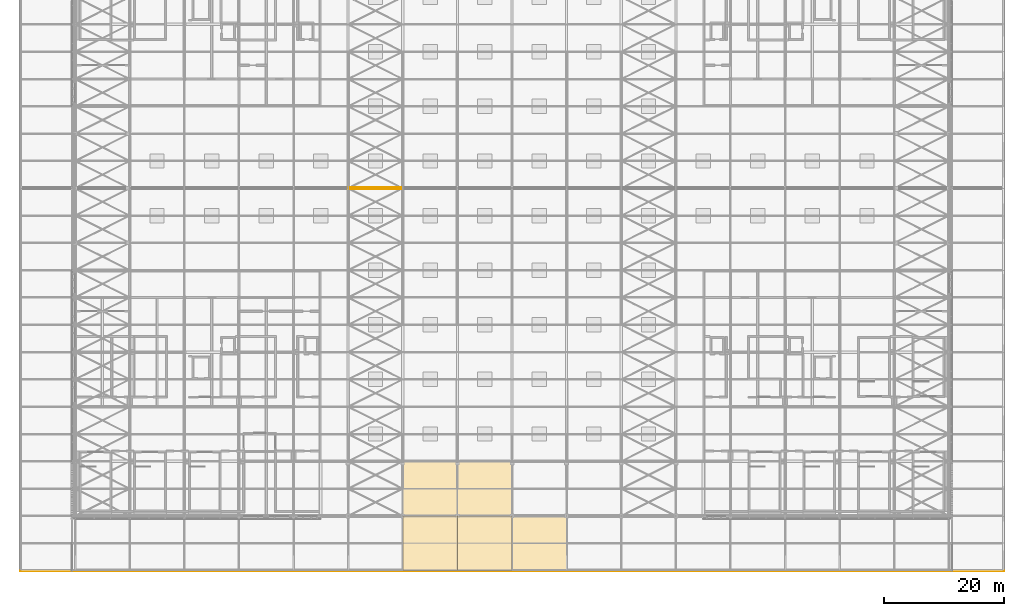
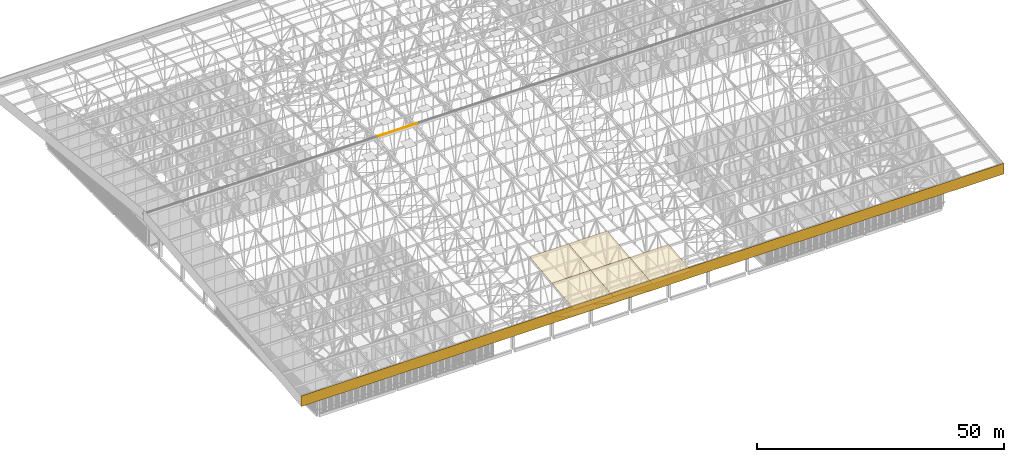
# One storey, part 465 of 500: 10 coverings.
"""IFC4 building model written with IfcOpenShell, lengths in metres."""

from ifc_helpers import new_model, si_unit, direction, frame, origin, origin_2d, place, context, subcontext, project, spatial, polyline, rectangle, outline, extrude, material, layer, layer_set, type_object, element, save


model = new_model("IFC4")

# Units and contexts
model_context = context("Model", 3, precision=1e-05, world=origin(), true_north=direction((0.0, 1.0)))
body_context = subcontext(model_context, "Body", "Model", "MODEL_VIEW")
ifc_project = project(units=[si_unit("LENGTHUNIT", "METRE"), si_unit("AREAUNIT", "SQUARE_METRE"), si_unit("VOLUMEUNIT", "CUBIC_METRE"), si_unit("PLANEANGLEUNIT", "RADIAN"), si_unit("MASSUNIT", "GRAM", prefix="KILO")], contexts=[model_context])

# Site, building, storey
site_placement = place(None, origin())
site = spatial("IfcSite", under=ifc_project, at=site_placement, CompositionType="ELEMENT")
building_placement = place(site_placement, origin())
building = spatial("IfcBuilding", under=site, at=building_placement, Name="Shirokan Park Arena", CompositionType="ELEMENT")
storey_placement = place(building_placement, frame((0.0, 0.0, 29.1201171875)))
storey = spatial("IfcBuildingStorey", under=building, at=storey_placement, Name="L06", CompositionType="ELEMENT", Elevation=29.1201171875)

# Coverings
ifc_material_1 = material(Name="Zinc standing seam sheet")
ifc_layer_1 = layer(ifc_material_1, 0.06005859375)
ifc_layer_set_1 = layer_set([ifc_layer_1], Name="Zinc standing seam sheet 60 mm")
covering_type_1 = type_object("IfcCoveringType", Name="Ridge cap 150x60", PredefinedType="CLADDING", material=ifc_layer_set_1)
covering_1_placement = place(storey_placement, frame((45.5, 54.449951171875, 19.213623046875), z_axis=(0.0, -0.113090934841, 0.993584641818), x_axis=(1.0, 0.0, 0.0)))
element("IfcCovering", 1, at=covering_1_placement, inside=storey, type_object=covering_type_1, Name="Ridge cap", PredefinedType="CLADDING", context=body_context, shape_type="SweptSolid", body=[
    extrude(outline(polyline([(0.0, 0.0), (9.10009765625, 0.0), (9.10009765625, 0.15111594730395445), (0.0, 0.15111594730395445), (0.0, 0.0)])), origin(), (0.0, 0.0, -1.0), 0.06005859375),
])
covering_2_placement = place(storey_placement, frame((45.5, 54.60009765625, 19.230712890625), z_axis=(0.0, 0.113272760674, 0.993563929342), x_axis=(1.0, 0.0, 0.0)))
element("IfcCovering", 2, at=covering_2_placement, inside=storey, type_object=covering_type_1, Name="Ridge cap", PredefinedType="CLADDING", context=body_context, shape_type="SweptSolid", body=[
    extrude(outline(polyline([(0.0, 0.0), (9.10009765625, 0.0), (9.10009765625, 0.1508733754548581), (0.0, 0.1508733754548581), (0.0, 0.0)])), origin(), (0.0, 0.0, -1.0), 0.06005859375),
])
ifc_material_2 = material(Name="Bituminous roofing membrane")
ifc_layer_2 = layer(ifc_material_2, 0.010009765625, Name="Bituminous roofing membrane")
ifc_material_3 = material(Name="Mineral wool insulation")
ifc_layer_3 = layer(ifc_material_3, 0.050048828125, Name="Mineral wool insulation")
ifc_layer_set_2 = layer_set([ifc_layer_2, ifc_layer_3], Name="Bituminous roofing membrane + Mineral wool insulation")
covering_type_2 = type_object("IfcCoveringType", Name="Roofing membrane 60", PredefinedType="ROOFING", material=ifc_layer_set_2)
for number, where, z_axis, x_axis, name in (
    (3, (54.60009765625, -9.10009765625, 11.890625), (0.0, -0.113549598152, 0.993532328996), (1.0, 0.0, 0.0), "Roofing"),
    (4, (54.60009765625, 0.0, 12.9306640625), (0.0, -0.113549598152, 0.993532328996), (1.0, 0.0, 0.0), "Roofing"),
):
    element("IfcCovering", number, at=place(storey_placement, frame(where, z_axis=z_axis, x_axis=x_axis)), inside=storey, type_object=covering_type_2, Name=name, PredefinedType="ROOFING", context=body_context, shape_type="SweptSolid", body=[
        extrude(outline(polyline([(0.0, 0.0), (9.099853515625, 0.0), (9.099853515625, 9.15933723611117), (0.0, 9.15933723611117), (0.0, 0.0)])), origin(), (0.0, 0.0, -1.0), 0.06005859375),
    ])
for number, where, z_axis, x_axis, name in (
    (5, (63.699951171875, -9.10009765625, 11.890625), (0.0, -0.113549598152, 0.993532328996), (1.0, 0.0, 0.0), "Roofing"),
    (6, (63.699951171875, 0.0, 12.9306640625), (0.0, -0.113549598152, 0.993532328996), (1.0, 0.0, 0.0), "Roofing"),
):
    element("IfcCovering", number, at=place(storey_placement, frame(where, z_axis=z_axis, x_axis=x_axis)), inside=storey, type_object=covering_type_2, Name=name, PredefinedType="ROOFING", context=body_context, shape_type="SweptSolid", body=[
        extrude(outline(polyline([(0.0, 0.0), (9.10009765625, 0.0), (9.10009765625, 9.15933723611117), (0.0, 9.15933723611117), (0.0, 0.0)])), origin(), (0.0, 0.0, -1.0), 0.06005859375),
    ])
covering_3_placement = place(storey_placement, frame((72.800048828125, -9.10009765625, 11.890625), z_axis=(0.0, -0.113549598152, 0.993532328996), x_axis=(1.0, 0.0, 0.0)))
element("IfcCovering", 7, at=covering_3_placement, inside=storey, type_object=covering_type_2, Name="Roofing", PredefinedType="ROOFING", context=body_context, shape_type="SweptSolid", body=[
    extrude(outline(polyline([(0.0, 0.0), (9.099853515625, 0.0), (9.099853515625, 9.15933723611117), (0.0, 9.15933723611117), (0.0, 0.0)])), origin(), (0.0, 0.0, -1.0), 0.06005859375),
])
ifc_material_4 = material(Name="Timber soffit boards (cedar)", Category="wood")
ifc_layer_4 = layer(ifc_material_4, 0.030029296875)
ifc_layer_set_3 = layer_set([ifc_layer_4], Name="Timber soffit boards (cedar) 30 mm")
covering_type_3 = type_object("IfcCoveringType", Name="Timber boarded soffit panel", PredefinedType="CLADDING", material=ifc_layer_set_3)
covering_4_placement = place(storey_placement, origin())
element("IfcCovering", 8, at=covering_4_placement, inside=storey, type_object=covering_type_3, Name="Eave soffit south bay 7", PredefinedType="CLADDING", context=body_context, shape_type="SweptSolid", body=[
    extrude(outline(polyline([(0.0, 0.0), (0.14269332184794056, 0.0), (0.14269332184794056, -9.100000000000003), (0.0, -9.100000000000003), (0.0, 0.0)])), frame((63.699951171875, -8.97998046875, 10.3037109375), z_axis=(0.0, 0.541090493936, 0.840964373427), x_axis=(0.0, -0.840964373427, 0.541090493936)), (0.0, 0.0, -1.0), 0.030029296875),
    extrude(outline(polyline([(0.0, 0.0), (0.1426933218479412, 0.0), (0.1426933218479412, -9.100000000000001), (0.0, -9.100000000000001), (0.0, 0.0)])), frame((54.60009765625, -0.1201171875, 4.60302734375), z_axis=(0.0, 0.541090493936, 0.840964373427), x_axis=(0.0, 0.840964373427, -0.541090493936)), (0.0, 0.0, -1.0), 0.030029296875),
    extrude(outline(polyline([(0.0, 0.0), (0.12000000000000455, 0.0), (0.12000000000000455, -10.535473996759707), (0.0, -10.535473996759707), (0.0, 0.0)])), frame((63.699951171875, -8.97998046875, 10.3037109375), z_axis=(0.0, 0.541084340558, 0.84096833258), x_axis=(-1.0, 0.0, 0.0)), (0.0, 0.0, -1.0), 0.030029296875),
    extrude(outline(polyline([(0.0, 0.0), (0.11999999999999744, 0.0), (0.11999999999999744, -10.535473996759707), (0.0, -10.535473996759707), (0.0, 0.0)])), frame((54.60009765625, -0.1201171875, 4.60302734375), z_axis=(0.0, 0.541084340558, 0.84096833258), x_axis=(1.0, 0.0, 0.0)), (0.0, 0.0, -1.0), 0.030029296875),
    extrude(outline(polyline([(0.0, 0.0), (10.535473996759707, 0.0), (10.535473996759707, -0.183329999999998), (0.0, -0.183329999999998), (0.0, 0.0)])), frame((54.719970703125, -8.97998046875, 10.3037109375), z_axis=(0.0, 0.541084340558, 0.84096833258), x_axis=(0.0, 0.84096833258, -0.541084340558)), (0.0, 0.0, -1.0), 0.030029296875),
    extrude(outline(polyline([(0.0, 0.0), (10.535473996759707, 0.0), (10.535473996759707, -0.3033400000000057), (0.0, -0.3033400000000057), (0.0, 0.0)])), frame((54.9033203125, -8.97998046875, 10.3037109375), z_axis=(0.0, 0.541084340558, 0.84096833258), x_axis=(0.0, 0.84096833258, -0.541084340558)), (0.0, 0.0, -1.0), 0.030029296875),
    extrude(outline(polyline([(0.0, 0.0), (10.535473996759707, 0.0), (10.535473996759707, -0.30332999999999544), (0.0, -0.30332999999999544), (0.0, 0.0)])), frame((55.206787109375, -8.97998046875, 10.3037109375), z_axis=(0.0, 0.541084340558, 0.84096833258), x_axis=(0.0, 0.84096833258, -0.541084340558)), (0.0, 0.0, -1.0), 0.030029296875),
    extrude(outline(polyline([(0.0, 0.0), (10.535473996759707, 0.0), (10.535473996759707, -0.30333000000000254), (0.0, -0.30333000000000254), (0.0, 0.0)])), frame((55.510009765625, -8.97998046875, 10.3037109375), z_axis=(0.0, 0.541084340558, 0.84096833258), x_axis=(0.0, 0.84096833258, -0.541084340558)), (0.0, 0.0, -1.0), 0.030029296875),
    extrude(outline(polyline([(0.0, 0.0), (10.535473996759707, 0.0), (10.535473996759707, -0.3033399999999986), (0.0, -0.3033399999999986), (0.0, 0.0)])), frame((55.813232421875, -8.97998046875, 10.3037109375), z_axis=(0.0, 0.541084340558, 0.84096833258), x_axis=(0.0, 0.84096833258, -0.541084340558)), (0.0, 0.0, -1.0), 0.030029296875),
    extrude(outline(polyline([(0.0, 0.0), (10.535473996759709, 0.0), (10.535473996759709, -0.30333000000000254), (0.0, -0.30333000000000254), (0.0, 0.0)])), frame((56.11669921875, -8.97998046875, 10.3037109375), z_axis=(0.0, 0.541084340558, 0.84096833258), x_axis=(0.0, 0.84096833258, -0.541084340558)), (0.0, 0.0, -1.0), 0.030029296875),
    extrude(outline(polyline([(0.0, 0.0), (10.535473996759707, 0.0), (10.535473996759707, -0.30332999999999544), (0.0, -0.30332999999999544), (0.0, 0.0)])), frame((56.419921875, -8.97998046875, 10.3037109375), z_axis=(0.0, 0.541084340558, 0.84096833258), x_axis=(0.0, 0.84096833258, -0.541084340558)), (0.0, 0.0, -1.0), 0.030029296875),
    extrude(outline(polyline([(0.0, 0.0), (10.535473996759707, 0.0), (10.535473996759707, -0.3033400000000057), (0.0, -0.3033400000000057), (0.0, 0.0)])), frame((56.723388671875, -8.97998046875, 10.3037109375), z_axis=(0.0, 0.541084340558, 0.84096833258), x_axis=(0.0, 0.84096833258, -0.541084340558)), (0.0, 0.0, -1.0), 0.030029296875),
    extrude(outline(polyline([(0.0, 0.0), (10.535473996759707, 0.0), (10.535473996759707, -0.30332999999999544), (0.0, -0.30332999999999544), (0.0, 0.0)])), frame((57.026611328125, -8.97998046875, 10.3037109375), z_axis=(0.0, 0.541084340558, 0.84096833258), x_axis=(0.0, 0.84096833258, -0.541084340558)), (0.0, 0.0, -1.0), 0.030029296875),
    extrude(outline(polyline([(0.0, 0.0), (10.535473996759707, 0.0), (10.535473996759707, -0.30333000000000254), (0.0, -0.30333000000000254), (0.0, 0.0)])), frame((57.330078125, -8.97998046875, 10.3037109375), z_axis=(0.0, 0.541084340558, 0.84096833258), x_axis=(0.0, 0.84096833258, -0.541084340558)), (0.0, 0.0, -1.0), 0.030029296875),
    extrude(outline(polyline([(0.0, 0.0), (10.535473996759707, 0.0), (10.535473996759707, -0.3033399999999986), (0.0, -0.3033399999999986), (0.0, 0.0)])), frame((57.63330078125, -8.97998046875, 10.3037109375), z_axis=(0.0, 0.541084340558, 0.84096833258), x_axis=(0.0, 0.84096833258, -0.541084340558)), (0.0, 0.0, -1.0), 0.030029296875),
    extrude(outline(polyline([(0.0, 0.0), (10.535473996759709, 0.0), (10.535473996759709, -0.30333000000000254), (0.0, -0.30333000000000254), (0.0, 0.0)])), frame((57.936767578125, -8.97998046875, 10.3037109375), z_axis=(0.0, 0.541084340558, 0.84096833258), x_axis=(0.0, 0.84096833258, -0.541084340558)), (0.0, 0.0, -1.0), 0.030029296875),
    extrude(outline(polyline([(0.0, 0.0), (10.535473996759707, 0.0), (10.535473996759707, -0.30332999999999544), (0.0, -0.30332999999999544), (0.0, 0.0)])), frame((58.239990234375, -8.97998046875, 10.3037109375), z_axis=(0.0, 0.541084340558, 0.84096833258), x_axis=(0.0, 0.84096833258, -0.541084340558)), (0.0, 0.0, -1.0), 0.030029296875),
    extrude(outline(polyline([(0.0, 0.0), (10.535473996759707, 0.0), (10.535473996759707, -0.3033400000000057), (0.0, -0.3033400000000057), (0.0, 0.0)])), frame((58.543212890625, -8.97998046875, 10.3037109375), z_axis=(0.0, 0.541084340558, 0.84096833258), x_axis=(0.0, 0.84096833258, -0.541084340558)), (0.0, 0.0, -1.0), 0.030029296875),
    extrude(outline(polyline([(0.0, 0.0), (10.535473996759707, 0.0), (10.535473996759707, -0.30332999999999544), (0.0, -0.30332999999999544), (0.0, 0.0)])), frame((58.8466796875, -8.97998046875, 10.3037109375), z_axis=(0.0, 0.541084340558, 0.84096833258), x_axis=(0.0, 0.84096833258, -0.541084340558)), (0.0, 0.0, -1.0), 0.030029296875),
    extrude(outline(polyline([(0.0, 0.0), (10.535473996759707, 0.0), (10.535473996759707, -0.30333000000000254), (0.0, -0.30333000000000254), (0.0, 0.0)])), frame((59.14990234375, -8.97998046875, 10.3037109375), z_axis=(0.0, 0.541084340558, 0.84096833258), x_axis=(0.0, 0.84096833258, -0.541084340558)), (0.0, 0.0, -1.0), 0.030029296875),
    extrude(outline(polyline([(0.0, 0.0), (10.535473996759707, 0.0), (10.535473996759707, -0.3033399999999986), (0.0, -0.3033399999999986), (0.0, 0.0)])), frame((59.453369140625, -8.97998046875, 10.3037109375), z_axis=(0.0, 0.541084340558, 0.84096833258), x_axis=(0.0, 0.84096833258, -0.541084340558)), (0.0, 0.0, -1.0), 0.030029296875),
    extrude(outline(polyline([(0.0, 0.0), (10.535473996759709, 0.0), (10.535473996759709, -0.30333000000000254), (0.0, -0.30333000000000254), (0.0, 0.0)])), frame((59.756591796875, -8.97998046875, 10.3037109375), z_axis=(0.0, 0.541084340558, 0.84096833258), x_axis=(0.0, 0.84096833258, -0.541084340558)), (0.0, 0.0, -1.0), 0.030029296875),
    extrude(outline(polyline([(0.0, 0.0), (10.535473996759707, 0.0), (10.535473996759707, -0.30332999999999544), (0.0, -0.30332999999999544), (0.0, 0.0)])), frame((60.06005859375, -8.97998046875, 10.3037109375), z_axis=(0.0, 0.541084340558, 0.84096833258), x_axis=(0.0, 0.84096833258, -0.541084340558)), (0.0, 0.0, -1.0), 0.030029296875),
    extrude(outline(polyline([(0.0, 0.0), (10.535473996759707, 0.0), (10.535473996759707, -0.3033400000000057), (0.0, -0.3033400000000057), (0.0, 0.0)])), frame((60.36328125, -8.97998046875, 10.3037109375), z_axis=(0.0, 0.541084340558, 0.84096833258), x_axis=(0.0, 0.84096833258, -0.541084340558)), (0.0, 0.0, -1.0), 0.030029296875),
    extrude(outline(polyline([(0.0, 0.0), (10.535473996759707, 0.0), (10.535473996759707, -0.30332999999999544), (0.0, -0.30332999999999544), (0.0, 0.0)])), frame((60.666748046875, -8.97998046875, 10.3037109375), z_axis=(0.0, 0.541084340558, 0.84096833258), x_axis=(0.0, 0.84096833258, -0.541084340558)), (0.0, 0.0, -1.0), 0.030029296875),
    extrude(outline(polyline([(0.0, 0.0), (10.535473996759709, 0.0), (10.535473996759709, -0.30333000000000254), (0.0, -0.30333000000000254), (0.0, 0.0)])), frame((60.969970703125, -8.97998046875, 10.3037109375), z_axis=(0.0, 0.541084340558, 0.84096833258), x_axis=(0.0, 0.84096833258, -0.541084340558)), (0.0, 0.0, -1.0), 0.030029296875),
    extrude(outline(polyline([(0.0, 0.0), (10.535473996759707, 0.0), (10.535473996759707, -0.3033399999999986), (0.0, -0.3033399999999986), (0.0, 0.0)])), frame((61.2734375, -8.97998046875, 10.3037109375), z_axis=(0.0, 0.541084340558, 0.84096833258), x_axis=(0.0, 0.84096833258, -0.541084340558)), (0.0, 0.0, -1.0), 0.030029296875),
    extrude(outline(polyline([(0.0, 0.0), (10.535473996759709, 0.0), (10.535473996759709, -0.30333000000000254), (0.0, -0.30333000000000254), (0.0, 0.0)])), frame((61.57666015625, -8.97998046875, 10.3037109375), z_axis=(0.0, 0.541084340558, 0.84096833258), x_axis=(0.0, 0.84096833258, -0.541084340558)), (0.0, 0.0, -1.0), 0.030029296875),
    extrude(outline(polyline([(0.0, 0.0), (10.535473996759707, 0.0), (10.535473996759707, -0.30332999999999544), (0.0, -0.30332999999999544), (0.0, 0.0)])), frame((61.8798828125, -8.97998046875, 10.3037109375), z_axis=(0.0, 0.541084340558, 0.84096833258), x_axis=(0.0, 0.84096833258, -0.541084340558)), (0.0, 0.0, -1.0), 0.030029296875),
    extrude(outline(polyline([(0.0, 0.0), (10.535473996759707, 0.0), (10.535473996759707, -0.3033399999999986), (0.0, -0.3033399999999986), (0.0, 0.0)])), frame((62.183349609375, -8.97998046875, 10.3037109375), z_axis=(0.0, 0.541084340558, 0.84096833258), x_axis=(0.0, 0.84096833258, -0.541084340558)), (0.0, 0.0, -1.0), 0.030029296875),
    extrude(outline(polyline([(0.0, 0.0), (10.535473996759707, 0.0), (10.535473996759707, -0.30333000000000254), (0.0, -0.30333000000000254), (0.0, 0.0)])), frame((62.486572265625, -8.97998046875, 10.3037109375), z_axis=(0.0, 0.541084340558, 0.84096833258), x_axis=(0.0, 0.84096833258, -0.541084340558)), (0.0, 0.0, -1.0), 0.030029296875),
    extrude(outline(polyline([(0.0, 0.0), (10.535473996759709, 0.0), (10.535473996759709, -0.30333000000000254), (0.0, -0.30333000000000254), (0.0, 0.0)])), frame((62.7900390625, -8.97998046875, 10.3037109375), z_axis=(0.0, 0.541084340558, 0.84096833258), x_axis=(0.0, 0.84096833258, -0.541084340558)), (0.0, 0.0, -1.0), 0.030029296875),
    extrude(outline(polyline([(0.0, 0.0), (10.535473996759707, 0.0), (10.535473996759707, -0.3033399999999986), (0.0, -0.3033399999999986), (0.0, 0.0)])), frame((63.09326171875, -8.97998046875, 10.3037109375), z_axis=(0.0, 0.541084340558, 0.84096833258), x_axis=(0.0, 0.84096833258, -0.541084340558)), (0.0, 0.0, -1.0), 0.030029296875),
    extrude(outline(polyline([(0.0, 0.0), (0.183329999999998, 0.0), (0.183329999999998, -10.535473996759709), (0.0, -10.535473996759709), (0.0, 0.0)])), frame((63.580078125, -8.97998046875, 10.3037109375), z_axis=(0.0, 0.541084340558, 0.84096833258), x_axis=(-1.0, 0.0, 0.0)), (0.0, 0.0, -1.0), 0.030029296875),
])
covering_5_placement = place(storey_placement, origin())
element("IfcCovering", 9, at=covering_5_placement, inside=storey, type_object=covering_type_3, Name="Eave soffit south bay 8", PredefinedType="CLADDING", context=body_context, shape_type="SweptSolid", body=[
    extrude(outline(polyline([(0.0, 0.0), (0.14269332184794056, 0.0), (0.14269332184794056, -9.099999999999996), (0.0, -9.099999999999996), (0.0, 0.0)])), frame((72.800048828125, -8.97998046875, 10.3037109375), z_axis=(0.0, 0.541090493936, 0.840964373427), x_axis=(0.0, -0.840964373427, 0.541090493936)), (0.0, 0.0, -1.0), 0.030029296875),
    extrude(outline(polyline([(0.0, 0.0), (0.1426933218479412, 0.0), (0.1426933218479412, -9.099999999999994), (0.0, -9.099999999999994), (0.0, 0.0)])), frame((63.699951171875, -0.1201171875, 4.60302734375), z_axis=(0.0, 0.541090493936, 0.840964373427), x_axis=(0.0, 0.840964373427, -0.541090493936)), (0.0, 0.0, -1.0), 0.030029296875),
    extrude(outline(polyline([(0.0, 0.0), (0.11999999999999034, 0.0), (0.11999999999999034, -10.535473996759707), (0.0, -10.535473996759707), (0.0, 0.0)])), frame((72.800048828125, -8.97998046875, 10.3037109375), z_axis=(0.0, 0.541084340558, 0.84096833258), x_axis=(-1.0, 0.0, 0.0)), (0.0, 0.0, -1.0), 0.030029296875),
    extrude(outline(polyline([(0.0, 0.0), (0.11999999999999744, 0.0), (0.11999999999999744, -10.535473996759706), (0.0, -10.535473996759706), (0.0, 0.0)])), frame((63.699951171875, -0.1201171875, 4.60302734375), z_axis=(0.0, 0.541084340558, 0.84096833258), x_axis=(1.0, 0.0, 0.0)), (0.0, 0.0, -1.0), 0.030029296875),
    extrude(outline(polyline([(0.0, 0.0), (10.535473996759707, 0.0), (10.535473996759707, -0.1833300000000051), (0.0, -0.1833300000000051), (0.0, 0.0)])), frame((63.820068359375, -8.97998046875, 10.3037109375), z_axis=(0.0, 0.541084340558, 0.84096833258), x_axis=(0.0, 0.84096833258, -0.541084340558)), (0.0, 0.0, -1.0), 0.030029296875),
    extrude(outline(polyline([(0.0, 0.0), (10.535473996759707, 0.0), (10.535473996759707, -0.3033399999999915), (0.0, -0.3033399999999915), (0.0, 0.0)])), frame((64.00341796875, -8.97998046875, 10.3037109375), z_axis=(0.0, 0.541084340558, 0.84096833258), x_axis=(0.0, 0.84096833258, -0.541084340558)), (0.0, 0.0, -1.0), 0.030029296875),
    extrude(outline(polyline([(0.0, 0.0), (10.535473996759707, 0.0), (10.535473996759707, -0.30333000000000254), (0.0, -0.30333000000000254), (0.0, 0.0)])), frame((64.306640625, -8.97998046875, 10.3037109375), z_axis=(0.0, 0.541084340558, 0.84096833258), x_axis=(0.0, 0.84096833258, -0.541084340558)), (0.0, 0.0, -1.0), 0.030029296875),
    extrude(outline(polyline([(0.0, 0.0), (10.535473996759709, 0.0), (10.535473996759709, -0.30333000000000254), (0.0, -0.30333000000000254), (0.0, 0.0)])), frame((64.610107421875, -8.97998046875, 10.3037109375), z_axis=(0.0, 0.541084340558, 0.84096833258), x_axis=(0.0, 0.84096833258, -0.541084340558)), (0.0, 0.0, -1.0), 0.030029296875),
    extrude(outline(polyline([(0.0, 0.0), (10.535473996759709, 0.0), (10.535473996759709, -0.3033399999999915), (0.0, -0.3033399999999915), (0.0, 0.0)])), frame((64.913330078125, -8.97998046875, 10.3037109375), z_axis=(0.0, 0.541084340558, 0.84096833258), x_axis=(0.0, 0.84096833258, -0.541084340558)), (0.0, 0.0, -1.0), 0.030029296875),
    extrude(outline(polyline([(0.0, 0.0), (10.535473996759709, 0.0), (10.535473996759709, -0.30333000000000254), (0.0, -0.30333000000000254), (0.0, 0.0)])), frame((65.216552734375, -8.97998046875, 10.3037109375), z_axis=(0.0, 0.541084340558, 0.84096833258), x_axis=(0.0, 0.84096833258, -0.541084340558)), (0.0, 0.0, -1.0), 0.030029296875),
    extrude(outline(polyline([(0.0, 0.0), (10.535473996759707, 0.0), (10.535473996759707, -0.30333000000000254), (0.0, -0.30333000000000254), (0.0, 0.0)])), frame((65.52001953125, -8.97998046875, 10.3037109375), z_axis=(0.0, 0.541084340558, 0.84096833258), x_axis=(0.0, 0.84096833258, -0.541084340558)), (0.0, 0.0, -1.0), 0.030029296875),
    extrude(outline(polyline([(0.0, 0.0), (10.535473996759707, 0.0), (10.535473996759707, -0.3033400000000057), (0.0, -0.3033400000000057), (0.0, 0.0)])), frame((65.8232421875, -8.97998046875, 10.3037109375), z_axis=(0.0, 0.541084340558, 0.84096833258), x_axis=(0.0, 0.84096833258, -0.541084340558)), (0.0, 0.0, -1.0), 0.030029296875),
    extrude(outline(polyline([(0.0, 0.0), (10.535473996759709, 0.0), (10.535473996759709, -0.30333000000000254), (0.0, -0.30333000000000254), (0.0, 0.0)])), frame((66.126708984375, -8.97998046875, 10.3037109375), z_axis=(0.0, 0.541084340558, 0.84096833258), x_axis=(0.0, 0.84096833258, -0.541084340558)), (0.0, 0.0, -1.0), 0.030029296875),
    extrude(outline(polyline([(0.0, 0.0), (10.535473996759707, 0.0), (10.535473996759707, -0.30332999999998833), (0.0, -0.30332999999998833), (0.0, 0.0)])), frame((66.429931640625, -8.97998046875, 10.3037109375), z_axis=(0.0, 0.541084340558, 0.84096833258), x_axis=(0.0, 0.84096833258, -0.541084340558)), (0.0, 0.0, -1.0), 0.030029296875),
    extrude(outline(polyline([(0.0, 0.0), (10.535473996759707, 0.0), (10.535473996759707, -0.3033400000000057), (0.0, -0.3033400000000057), (0.0, 0.0)])), frame((66.7333984375, -8.97998046875, 10.3037109375), z_axis=(0.0, 0.541084340558, 0.84096833258), x_axis=(0.0, 0.84096833258, -0.541084340558)), (0.0, 0.0, -1.0), 0.030029296875),
    extrude(outline(polyline([(0.0, 0.0), (10.535473996759709, 0.0), (10.535473996759709, -0.30333000000000254), (0.0, -0.30333000000000254), (0.0, 0.0)])), frame((67.03662109375, -8.97998046875, 10.3037109375), z_axis=(0.0, 0.541084340558, 0.84096833258), x_axis=(0.0, 0.84096833258, -0.541084340558)), (0.0, 0.0, -1.0), 0.030029296875),
    extrude(outline(polyline([(0.0, 0.0), (10.535473996759707, 0.0), (10.535473996759707, -0.30333000000000254), (0.0, -0.30333000000000254), (0.0, 0.0)])), frame((67.340087890625, -8.97998046875, 10.3037109375), z_axis=(0.0, 0.541084340558, 0.84096833258), x_axis=(0.0, 0.84096833258, -0.541084340558)), (0.0, 0.0, -1.0), 0.030029296875),
    extrude(outline(polyline([(0.0, 0.0), (10.535473996759707, 0.0), (10.535473996759707, -0.3033399999999915), (0.0, -0.3033399999999915), (0.0, 0.0)])), frame((67.643310546875, -8.97998046875, 10.3037109375), z_axis=(0.0, 0.541084340558, 0.84096833258), x_axis=(0.0, 0.84096833258, -0.541084340558)), (0.0, 0.0, -1.0), 0.030029296875),
    extrude(outline(polyline([(0.0, 0.0), (10.535473996759707, 0.0), (10.535473996759707, -0.30333000000000254), (0.0, -0.30333000000000254), (0.0, 0.0)])), frame((67.94677734375, -8.97998046875, 10.3037109375), z_axis=(0.0, 0.541084340558, 0.84096833258), x_axis=(0.0, 0.84096833258, -0.541084340558)), (0.0, 0.0, -1.0), 0.030029296875),
    extrude(outline(polyline([(0.0, 0.0), (10.535473996759709, 0.0), (10.535473996759709, -0.30333000000000254), (0.0, -0.30333000000000254), (0.0, 0.0)])), frame((68.25, -8.97998046875, 10.3037109375), z_axis=(0.0, 0.541084340558, 0.84096833258), x_axis=(0.0, 0.84096833258, -0.541084340558)), (0.0, 0.0, -1.0), 0.030029296875),
    extrude(outline(polyline([(0.0, 0.0), (10.535473996759709, 0.0), (10.535473996759709, -0.3033399999999915), (0.0, -0.3033399999999915), (0.0, 0.0)])), frame((68.55322265625, -8.97998046875, 10.3037109375), z_axis=(0.0, 0.541084340558, 0.84096833258), x_axis=(0.0, 0.84096833258, -0.541084340558)), (0.0, 0.0, -1.0), 0.030029296875),
    extrude(outline(polyline([(0.0, 0.0), (10.535473996759709, 0.0), (10.535473996759709, -0.30333000000000254), (0.0, -0.30333000000000254), (0.0, 0.0)])), frame((68.856689453125, -8.97998046875, 10.3037109375), z_axis=(0.0, 0.541084340558, 0.84096833258), x_axis=(0.0, 0.84096833258, -0.541084340558)), (0.0, 0.0, -1.0), 0.030029296875),
    extrude(outline(polyline([(0.0, 0.0), (10.535473996759707, 0.0), (10.535473996759707, -0.30333000000000254), (0.0, -0.30333000000000254), (0.0, 0.0)])), frame((69.159912109375, -8.97998046875, 10.3037109375), z_axis=(0.0, 0.541084340558, 0.84096833258), x_axis=(0.0, 0.84096833258, -0.541084340558)), (0.0, 0.0, -1.0), 0.030029296875),
    extrude(outline(polyline([(0.0, 0.0), (10.535473996759707, 0.0), (10.535473996759707, -0.3033400000000057), (0.0, -0.3033400000000057), (0.0, 0.0)])), frame((69.46337890625, -8.97998046875, 10.3037109375), z_axis=(0.0, 0.541084340558, 0.84096833258), x_axis=(0.0, 0.84096833258, -0.541084340558)), (0.0, 0.0, -1.0), 0.030029296875),
    extrude(outline(polyline([(0.0, 0.0), (10.535473996759707, 0.0), (10.535473996759707, -0.3033299999999883), (0.0, -0.3033299999999883), (0.0, 0.0)])), frame((69.7666015625, -8.97998046875, 10.3037109375), z_axis=(0.0, 0.541084340558, 0.84096833258), x_axis=(0.0, 0.84096833258, -0.541084340558)), (0.0, 0.0, -1.0), 0.030029296875),
    extrude(outline(polyline([(0.0, 0.0), (10.535473996759709, 0.0), (10.535473996759709, -0.30333000000000254), (0.0, -0.30333000000000254), (0.0, 0.0)])), frame((70.070068359375, -8.97998046875, 10.3037109375), z_axis=(0.0, 0.541084340558, 0.84096833258), x_axis=(0.0, 0.84096833258, -0.541084340558)), (0.0, 0.0, -1.0), 0.030029296875),
    extrude(outline(polyline([(0.0, 0.0), (10.535473996759707, 0.0), (10.535473996759707, -0.3033400000000057), (0.0, -0.3033400000000057), (0.0, 0.0)])), frame((70.373291015625, -8.97998046875, 10.3037109375), z_axis=(0.0, 0.541084340558, 0.84096833258), x_axis=(0.0, 0.84096833258, -0.541084340558)), (0.0, 0.0, -1.0), 0.030029296875),
    extrude(outline(polyline([(0.0, 0.0), (10.535473996759707, 0.0), (10.535473996759707, -0.30333000000000254), (0.0, -0.30333000000000254), (0.0, 0.0)])), frame((70.6767578125, -8.97998046875, 10.3037109375), z_axis=(0.0, 0.541084340558, 0.84096833258), x_axis=(0.0, 0.84096833258, -0.541084340558)), (0.0, 0.0, -1.0), 0.030029296875),
    extrude(outline(polyline([(0.0, 0.0), (10.535473996759709, 0.0), (10.535473996759709, -0.30333000000000254), (0.0, -0.30333000000000254), (0.0, 0.0)])), frame((70.97998046875, -8.97998046875, 10.3037109375), z_axis=(0.0, 0.541084340558, 0.84096833258), x_axis=(0.0, 0.84096833258, -0.541084340558)), (0.0, 0.0, -1.0), 0.030029296875),
    extrude(outline(polyline([(0.0, 0.0), (10.535473996759709, 0.0), (10.535473996759709, -0.3033399999999915), (0.0, -0.3033399999999915), (0.0, 0.0)])), frame((71.283447265625, -8.97998046875, 10.3037109375), z_axis=(0.0, 0.541084340558, 0.84096833258), x_axis=(0.0, 0.84096833258, -0.541084340558)), (0.0, 0.0, -1.0), 0.030029296875),
    extrude(outline(polyline([(0.0, 0.0), (10.535473996759707, 0.0), (10.535473996759707, -0.30333000000000254), (0.0, -0.30333000000000254), (0.0, 0.0)])), frame((71.586669921875, -8.97998046875, 10.3037109375), z_axis=(0.0, 0.541084340558, 0.84096833258), x_axis=(0.0, 0.84096833258, -0.541084340558)), (0.0, 0.0, -1.0), 0.030029296875),
    extrude(outline(polyline([(0.0, 0.0), (10.535473996759709, 0.0), (10.535473996759709, -0.30333000000000254), (0.0, -0.30333000000000254), (0.0, 0.0)])), frame((71.889892578125, -8.97998046875, 10.3037109375), z_axis=(0.0, 0.541084340558, 0.84096833258), x_axis=(0.0, 0.84096833258, -0.541084340558)), (0.0, 0.0, -1.0), 0.030029296875),
    extrude(outline(polyline([(0.0, 0.0), (10.535473996759709, 0.0), (10.535473996759709, -0.3033399999999915), (0.0, -0.3033399999999915), (0.0, 0.0)])), frame((72.193359375, -8.97998046875, 10.3037109375), z_axis=(0.0, 0.541084340558, 0.84096833258), x_axis=(0.0, 0.84096833258, -0.541084340558)), (0.0, 0.0, -1.0), 0.030029296875),
    extrude(outline(polyline([(0.0, 0.0), (10.535473996759707, 0.0), (10.535473996759707, -0.1833300000000122), (0.0, -0.1833300000000122), (0.0, 0.0)])), frame((72.49658203125, -8.97998046875, 10.3037109375), z_axis=(0.0, 0.541084340558, 0.84096833258), x_axis=(0.0, 0.84096833258, -0.541084340558)), (0.0, 0.0, -1.0), 0.030029296875),
])
ifc_material_5 = material(Name="Timber fascia board (cedar)", Category="wood")
ifc_layer_5 = layer(ifc_material_5, 0.030029296875)
ifc_layer_set_4 = layer_set([ifc_layer_5], Name="Timber fascia board (cedar) 30 mm")
covering_type_4 = type_object("IfcCoveringType", Name="Timber eave fascia 30", PredefinedType="CLADDING", material=ifc_layer_set_4)
covering_6_placement = place(storey_placement, frame((72.800048828125, -9.1650390625, 10.35107421875), z_axis=(0.0, 0.0, 1.0), x_axis=(1.0, 0.0, 0.0)))
element("IfcCovering", 10, at=covering_6_placement, inside=storey, type_object=covering_type_4, Name="Eave fascia south", PredefinedType="CLADDING", context=body_context, shape_type="SweptSolid", body=[
    extrude(rectangle(XDim=163.9599609375, YDim=0.030029296875, at=origin_2d()), origin(), (0.0, 0.0, 1.0), 2.638916015625),
])

save(model, "model.ifc")
